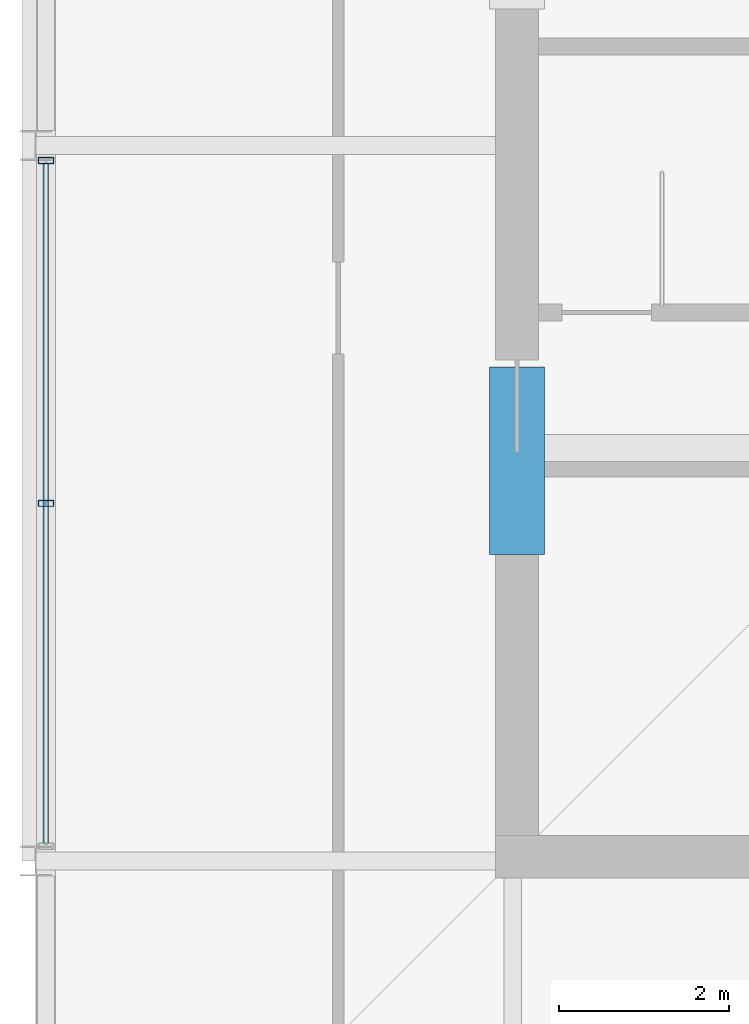
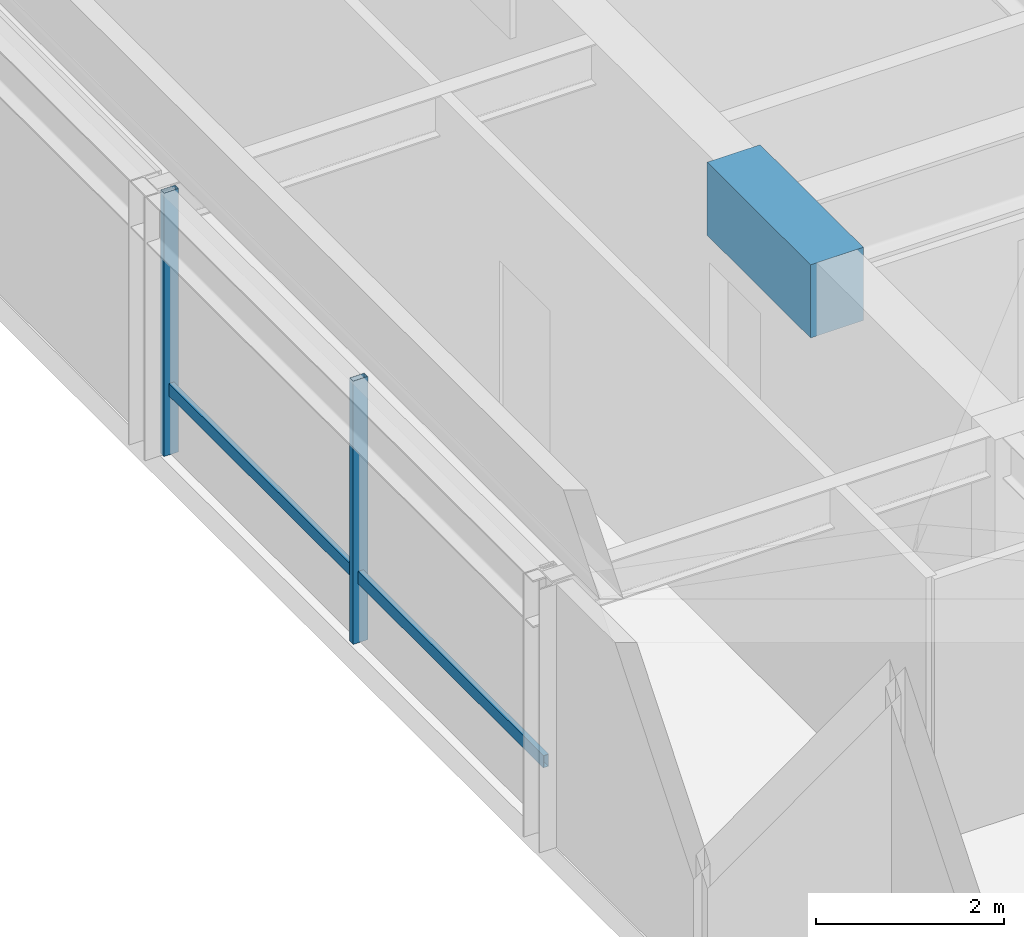
# One storey, part 4 of 13: 3 members, 1 beam, 1 element without a shape of its own.
"""IFC4 building model written with IfcOpenShell, lengths in metres."""

from ifc_helpers import new_model, si_unit, direction, frame, origin, origin_2d, place, context, subcontext, project, spatial, rectangle, hollow_rectangle, extrude, material, layer, layer_set, material_profile, profile_set, type_object, element, aggregate, save


model = new_model("IFC4")

# Units and contexts
model_context = context("Model", 3, precision=1e-05, world=origin(), true_north=direction((0.0, 1.0)))
body_context = subcontext(model_context, "Body", "Model", "MODEL_VIEW")
ifc_project = project(units=[si_unit("LENGTHUNIT", "METRE"), si_unit("AREAUNIT", "SQUARE_METRE"), si_unit("VOLUMEUNIT", "CUBIC_METRE"), si_unit("PLANEANGLEUNIT", "RADIAN"), si_unit("MASSUNIT", "GRAM", prefix="KILO")], contexts=[model_context])

# Site, building, storey
site_placement = place(None, origin())
site = spatial("IfcSite", under=ifc_project, at=site_placement, CompositionType="ELEMENT")
building_placement = place(site_placement, origin())
building = spatial("IfcBuilding", under=site, at=building_placement, Name="Drelvath Grand Hotel", CompositionType="ELEMENT")
storey_placement = place(building_placement, frame((0.0, 0.0, 323.199951171875)))
storey = spatial("IfcBuildingStorey", under=building, at=storey_placement, Name="L84", CompositionType="ELEMENT", Elevation=323.199951171875)

# Beam
ifc_material_1 = material(Name="Concrete f'c 55 MPa", Category="concrete")
ifc_material_profile_1 = material_profile(ifc_material_1, rectangle(XDim=0.64990234375, YDim=0.949951171875, at=origin_2d()), Name="CB650X950")
ifc_profile_set_1 = profile_set([ifc_material_profile_1], Name="Concrete f'c 55 MPa")
beam_type = type_object("IfcBeamType", Name="Core Coupling Lintel CB650X950", PredefinedType="LINTEL", material=ifc_profile_set_1)
beam_placement = place(storey_placement, frame((-8.35009765625, 22.199951171875, 2.945068359375), z_axis=(0.0, 1.0, 0.0), x_axis=(-1.0, 0.0, 0.0)))
element("IfcBeam", 1, at=beam_placement, inside=storey, type_object=beam_type, Name="L84 Core Coupling Lintel WS", PredefinedType="LINTEL", context=body_context, shape_type="SweptSolid", body=[
    extrude(rectangle(XDim=0.64990234375, YDim=0.949951171875, at=origin_2d()), origin(), (0.0, 0.0, 1.0), 2.199951171875),
])

# Curtain wall, members
ifc_material_2 = material(Name="Pale-Metal Anodised Aluminium Crown Frame", Category="aluminium")
ifc_layer = layer(ifc_material_2, 0.199951171875)
ifc_layer_set = layer_set([ifc_layer], Name="Pale-Metal Anodised Aluminium Crown Frame")
curtain_wall_type = type_object("IfcCurtainWallType", Name="Stick Curtain Wall CW-06 Pale-Metal Crown Clerestory", PredefinedType="NOTDEFINED", material=ifc_layer_set)
curtain_wall_placement = place(storey_placement, origin())
curtain_wall = element("IfcCurtainWall", 2, at=curtain_wall_placement, inside=storey, type_object=curtain_wall_type, Name="L84 CW-06 Curtain Wall CW06-L84-W", PredefinedType="NOTDEFINED")
ifc_material_profile_2 = material_profile(ifc_material_2, hollow_rectangle(XDim=0.06494140625, YDim=0.159912109375, WallThickness=0.00390625, at=origin_2d()), Name="HSS160X65X4")
ifc_profile_set_2 = profile_set([ifc_material_profile_2], Name="Pale-Metal Anodised Aluminium Crown Frame")
member_type_1 = type_object("IfcMemberType", Name="Curtain Wall Horizontal Transom CW-06 HSS160X65X4", PredefinedType="USERDEFINED", material=ifc_profile_set_2)
member_1_placement = place(storey_placement, frame((-13.8798828125, 18.81396484375, 0.85009765625), z_axis=(0.0, 1.0, 0.0), x_axis=(-1.0, 0.0, 0.0)))
member_1 = element("IfcMember", 3, at=member_1_placement, type_object=member_type_1, Name="CW06-L84-W Sill Transom", ObjectType="TRANSOM", PredefinedType="USERDEFINED", context=body_context, shape_type="SweptSolid", body=[
    extrude(hollow_rectangle(XDim=0.06494140625, YDim=0.159912109375, WallThickness=0.00390625, at=origin_2d()), origin(), (0.0, 0.0, 1.0), 7.971923828125),
])
ifc_material_profile_3 = material_profile(ifc_material_2, hollow_rectangle(XDim=0.074951171875, YDim=0.179931640625, WallThickness=0.0048828125, at=origin_2d()), Name="HSS180X75X5")
ifc_profile_set_3 = profile_set([ifc_material_profile_3], Name="Pale-Metal Anodised Aluminium Crown Frame")
member_type_2 = type_object("IfcMemberType", Name="Curtain Wall Vertical Mullion CW-06 HSS180X75X5", PredefinedType="MULLION", material=ifc_profile_set_3)
member_2_placement = place(storey_placement, frame((-13.8798828125, 22.800048828125, 0.0), z_axis=(0.0, 0.0, 1.0), x_axis=(0.0, 1.0, 0.0)))
member_2 = element("IfcMember", 4, at=member_2_placement, type_object=member_type_2, Name="CW06-L84-W Mullion 2", PredefinedType="MULLION", context=body_context, shape_type="SweptSolid", body=[
    extrude(hollow_rectangle(XDim=0.074951171875, YDim=0.179931640625, WallThickness=0.0048828125, at=origin_2d()), origin(), (0.0, 0.0, 1.0), 3.420166015625),
])
member_3_placement = place(storey_placement, frame((-13.8798828125, 26.825927734375, 0.0), z_axis=(0.0, 0.0, 1.0), x_axis=(0.0, 1.0, 0.0)))
member_3 = element("IfcMember", 5, at=member_3_placement, type_object=member_type_2, Name="CW06-L84-W Mullion 3", PredefinedType="MULLION", context=body_context, shape_type="SweptSolid", body=[
    extrude(hollow_rectangle(XDim=0.074951171875, YDim=0.179931640625, WallThickness=0.0048828125, at=origin_2d()), origin(), (0.0, 0.0, 1.0), 3.420166015625),
])
aggregate(curtain_wall, [member_2, member_3, member_1])

save(model, "model.ifc")
